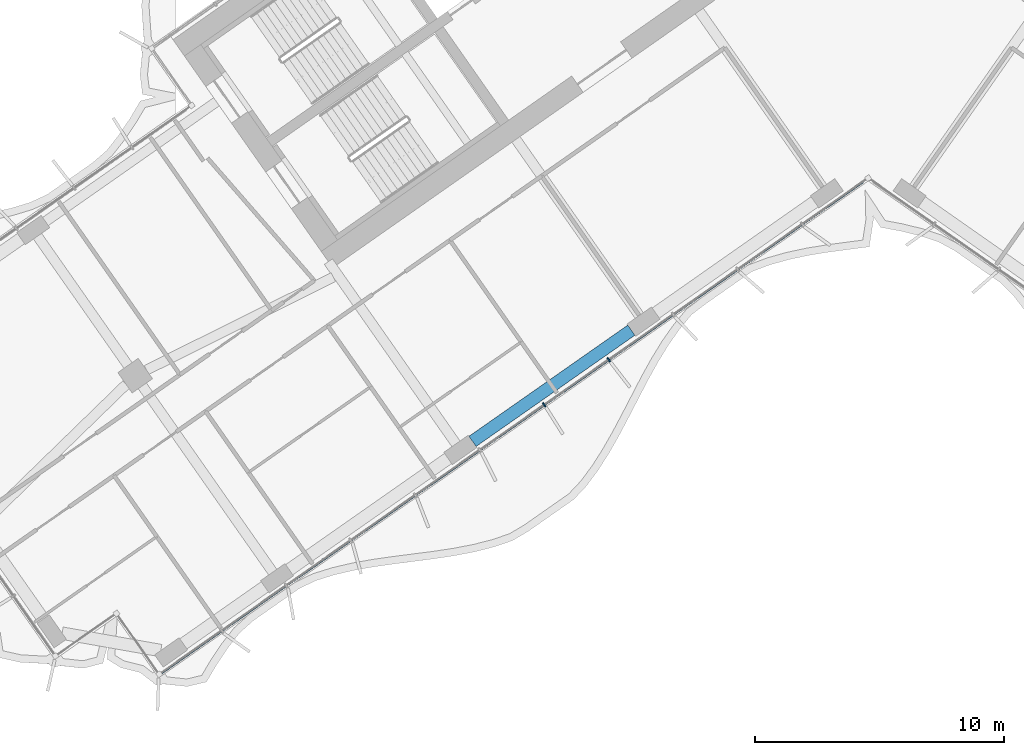
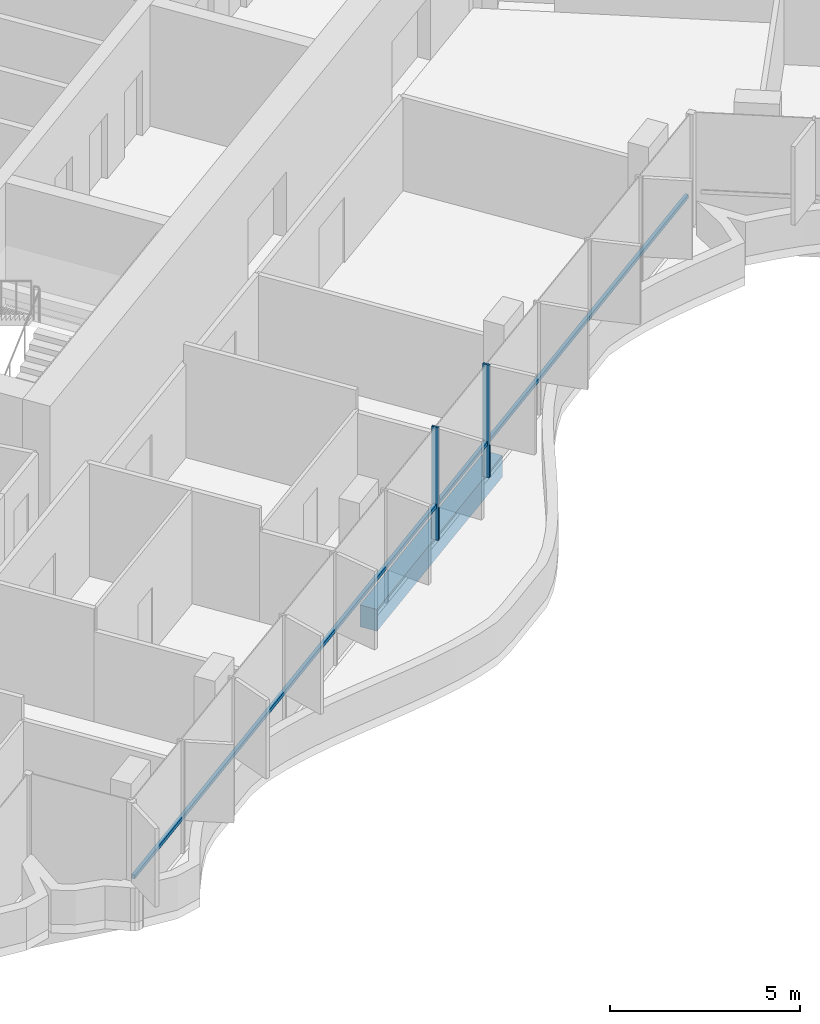
# One storey, part 3 of 21: 3 members, 1 beam, 1 element without a shape of its own.
"""IFC4 building model written with IfcOpenShell, lengths in metres."""

from ifc_helpers import new_model, si_unit, direction, frame, origin, origin_2d, place, context, subcontext, project, spatial, rectangle, extrude, material, material_profile, profile_set, type_object, element, aggregate, save


model = new_model("IFC4")

# Units and contexts
model_context = context("Model", 3, precision=1e-05, world=origin(), true_north=direction((0.0, 1.0)))
body_context = subcontext(model_context, "Body", "Model", "MODEL_VIEW")
ifc_project = project(units=[si_unit("LENGTHUNIT", "METRE"), si_unit("AREAUNIT", "SQUARE_METRE"), si_unit("VOLUMEUNIT", "CUBIC_METRE"), si_unit("PLANEANGLEUNIT", "RADIAN"), si_unit("MASSUNIT", "GRAM", prefix="KILO")], contexts=[model_context])

# Site, building, storey
site_placement = place(None, origin())
site = spatial("IfcSite", under=ifc_project, at=site_placement, CompositionType="ELEMENT")
building_placement = place(site_placement, origin())
building = spatial("IfcBuilding", under=site, at=building_placement, Name="Tel Ilan Convention Tower", CompositionType="ELEMENT")
storey_placement = place(building_placement, frame((0.0, 0.0, 139.800048828125)))
storey = spatial("IfcBuildingStorey", under=building, at=storey_placement, Name="L31", CompositionType="ELEMENT", Elevation=139.800048828125)

# Beam
ifc_material_1 = material(Name="Concrete C40/50", Category="concrete")
ifc_material_profile_1 = material_profile(ifc_material_1, rectangle(XDim=0.5, YDim=0.699951171875, at=origin_2d()), Name="RC 500x700")
ifc_profile_set_1 = profile_set([ifc_material_profile_1], Name="Concrete C40/50")
beam_type = type_object("IfcBeamType", Name="Beam RC 500x700 Concrete C40/50", PredefinedType="BEAM", material=ifc_profile_set_1)
beam_placement = place(storey_placement, frame((-9.529052734375, -18.819091796875, -0.630126953125), z_axis=(-0.819153977895, -0.573573674866, 0.0), x_axis=(0.573573674866, -0.819153977895, 0.0)))
element("IfcBeam", 1, at=beam_placement, inside=storey, type_object=beam_type, Name="L31 beam W-W-F2-W-F3", PredefinedType="BEAM", context=body_context, shape_type="SweptSolid", body=[
    extrude(rectangle(XDim=0.5, YDim=0.699951171875, at=origin_2d()), origin(), (0.0, 0.0, 1.0), 7.800048828125),
])

# Curtain wall, members
ifc_material_2 = material(Name="Aluminium, bronze anodised", Category="aluminium")
curtain_wall_type = type_object("IfcCurtainWallType", Name="CW4 STICK CURTAIN WALL, OFFICE TINTED GLASS", PredefinedType="NOTDEFINED", material=ifc_material_2)
curtain_wall_placement = place(storey_placement, origin())
curtain_wall = element("IfcCurtainWall", 2, at=curtain_wall_placement, inside=storey, type_object=curtain_wall_type, Name="Curtain wall CW4-25.02", PredefinedType="NOTDEFINED")
ifc_material_3 = material(Name="Aluminium, bronze anodised", Category="aluminium")
ifc_material_profile_2 = material_profile(ifc_material_3, rectangle(XDim=0.06005859375, YDim=0.199951171875, at=origin_2d()), Name="CW MULLION 60x200")
ifc_profile_set_2 = profile_set([ifc_material_profile_2], Name="Aluminium, bronze anodised")
member_type_1 = type_object("IfcMemberType", Name="CW MULLION 60x200", PredefinedType="MULLION", material=ifc_profile_set_2)
member_1_placement = place(storey_placement, frame((-13.03271484375, -21.821533203125, 0.0), z_axis=(0.0, 0.0, 1.0), x_axis=(0.819152044289, 0.573576436351, 0.0)))
member_1 = element("IfcMember", 3, at=member_1_placement, type_object=member_type_1, Name="Mullion", PredefinedType="MULLION", context=body_context, shape_type="SweptSolid", body=[
    extrude(rectangle(XDim=0.06005859375, YDim=0.199951171875, at=origin_2d()), origin(), (0.0, 0.0, 1.0), 3.619873046875),
])
member_2_placement = place(storey_placement, frame((-10.4375, -20.004638671875, 0.0), z_axis=(0.0, 0.0, 1.0), x_axis=(0.819152044289, 0.573576436351, 0.0)))
member_2 = element("IfcMember", 4, at=member_2_placement, type_object=member_type_1, Name="Mullion", PredefinedType="MULLION", context=body_context, shape_type="SweptSolid", body=[
    extrude(rectangle(XDim=0.06005859375, YDim=0.199951171875, at=origin_2d()), origin(), (0.0, 0.0, 1.0), 3.619873046875),
])
ifc_material_4 = material(Name="Aluminium, bronze anodised", Category="aluminium")
ifc_material_profile_3 = material_profile(ifc_material_4, rectangle(XDim=0.10009765625, YDim=0.1201171875, at=origin_2d()), Name="CW TRANSOM 100x120")
ifc_profile_set_3 = profile_set([ifc_material_profile_3], Name="Aluminium, bronze anodised")
member_type_2 = type_object("IfcMemberType", Name="CW TRANSOM 100x120", PredefinedType="USERDEFINED", material=ifc_profile_set_3)
member_3_placement = place(storey_placement, frame((-28.439208984375, -32.609375, 1.099853515625), z_axis=(0.819151003602, 0.573577922604, 0.0), x_axis=(-0.573577922604, 0.819151003602, 0.0)))
member_3 = element("IfcMember", 5, at=member_3_placement, type_object=member_type_2, Name="Transom", ObjectType="TRANSOM", PredefinedType="USERDEFINED", context=body_context, shape_type="SweptSolid", body=[
    extrude(rectangle(XDim=0.10009765625, YDim=0.1201171875, at=origin_2d()), origin(), (0.0, 0.0, 1.0), 34.447998046875),
])
aggregate(curtain_wall, [member_1, member_2, member_3])

save(model, "model.ifc")
